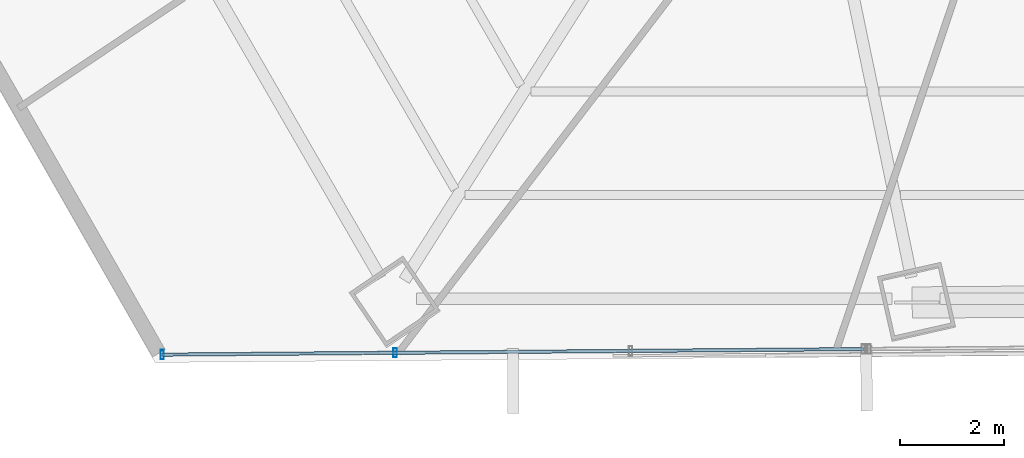
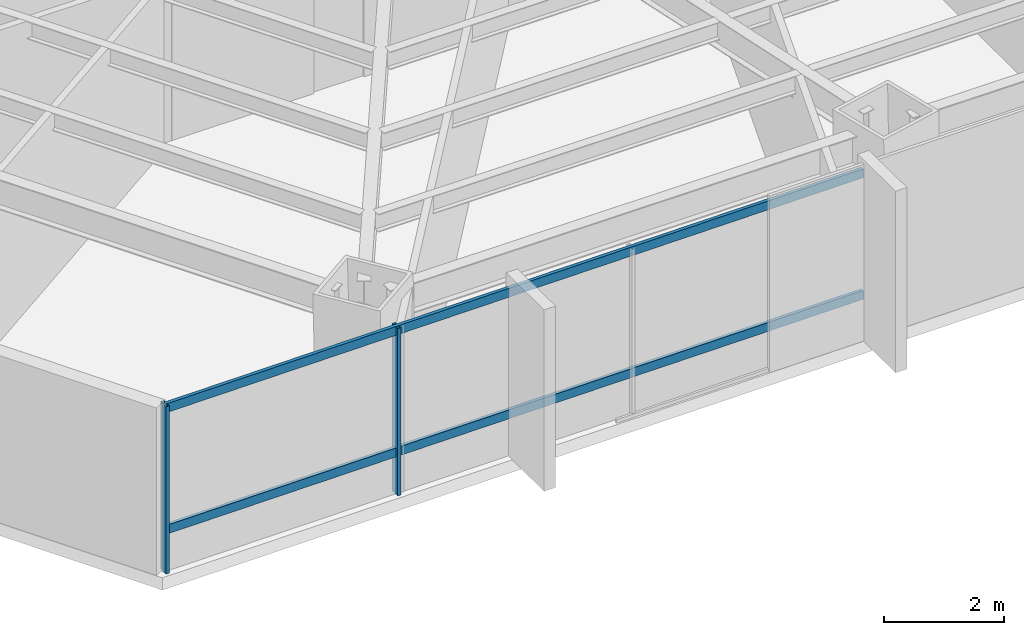
# One storey, part 3 of 34: 4 members, 1 element without a shape of its own.
"""IFC4 building model written with IfcOpenShell, lengths in metres."""

from ifc_helpers import new_model, si_unit, direction, frame, origin, origin_2d, place, context, subcontext, project, spatial, hollow_rectangle, extrude, source, transform, mapped, material, material_profile, profile_set, type_object, type_shapes, element, aggregate, save


model = new_model("IFC4")

# Units and contexts
model_context = context("Model", 3, precision=1e-05, world=origin(), true_north=direction((0.0, 1.0)))
body_context = subcontext(model_context, "Body", "Model", "MODEL_VIEW")
ifc_project = project(units=[si_unit("LENGTHUNIT", "METRE"), si_unit("AREAUNIT", "SQUARE_METRE"), si_unit("VOLUMEUNIT", "CUBIC_METRE"), si_unit("PLANEANGLEUNIT", "RADIAN"), si_unit("MASSUNIT", "GRAM", prefix="KILO")], contexts=[model_context])

# Site, building, storey
site_placement = place(None, origin())
site = spatial("IfcSite", under=ifc_project, at=site_placement, CompositionType="ELEMENT")
building_placement = place(site_placement, origin())
building = spatial("IfcBuilding", under=site, at=building_placement, Name="Caelisora Broadcast Tower", CompositionType="ELEMENT")
storey_placement = place(building_placement, frame((0.0, 0.0, 56.800048828125)))
storey = spatial("IfcBuildingStorey", under=building, at=storey_placement, Name="L14", CompositionType="ELEMENT", Elevation=56.800048828125)

# Curtain wall, members
ifc_material_1 = material(Name="Unitised Aluminium and Low-E Glass Curtain Wall", Category="glass")
curtain_wall_type = type_object("IfcCurtainWallType", Name="CW-Z1", PredefinedType="NOTDEFINED", material=ifc_material_1)
curtain_wall_placement = place(storey_placement, origin())
curtain_wall = element("IfcCurtainWall", 1, at=curtain_wall_placement, inside=storey, type_object=curtain_wall_type, Name="L14 curtain wall CW-Z1", PredefinedType="NOTDEFINED")
ifc_material_2 = material(Name="Aluminium 6063-T6 Anodised Terracotta Bronze", Category="aluminium")
ifc_material_profile_1 = material_profile(ifc_material_2, hollow_rectangle(XDim=0.06494140625, YDim=0.179931640625, WallThickness=0.00341796875, at=origin_2d()), Name="Aluminium 6063-T6 Anodised Terracotta Bronze")
ifc_profile_set_1 = profile_set([ifc_material_profile_1], Name="Aluminium 6063-T6 Anodised Terracotta Bronze")
member_type_1 = type_object("IfcMemberType", Name="CWM-02", PredefinedType="MULLION", material=ifc_profile_set_1)
shared_shape_1 = source(origin(), body_context, "Body", "SweptSolid", [
    extrude(hollow_rectangle(XDim=0.06494140625, YDim=0.179931640625, WallThickness=0.00341796875, at=origin_2d()), origin(), (0.0, 0.0, 1.0), 3.39990234375),
])
type_shapes(member_type_1, [shared_shape_1])
member_1_placement = place(storey_placement, frame((22.973388671875, 4.411865234375, 0.0), z_axis=(0.0, 0.0, 1.0), x_axis=(1.0, 0.0, 0.0)))
member_1 = element("IfcMember", 2, at=member_1_placement, type_object=member_type_1, Name="L14-CW-B07 mullion #2", PredefinedType="MULLION", context=body_context, shape_type="MappedRepresentation", body=[
    mapped(shared_shape_1, transform((0.0, 0.0, 0.0), scale=1.0)),
])
member_2_placement = place(storey_placement, frame((18.5009765625, 4.37646484375, 0.0), z_axis=(0.0, 0.0, 1.0), x_axis=(1.0, 0.0, 0.0)))
member_2 = element("IfcMember", 3, at=member_2_placement, type_object=member_type_1, Name="L14-CW-B07 mullion #3", PredefinedType="MULLION", context=body_context, shape_type="MappedRepresentation", body=[
    mapped(shared_shape_1, transform((0.0, 0.0, 0.0), scale=1.0)),
])
ifc_material_profile_2 = material_profile(ifc_material_2, hollow_rectangle(XDim=0.06494140625, YDim=0.179931640625, WallThickness=0.00341796875, at=origin_2d()), Name="Aluminium 6063-T6 Anodised Terracotta Bronze")
ifc_profile_set_2 = profile_set([ifc_material_profile_2], Name="Aluminium 6063-T6 Anodised Terracotta Bronze")
member_type_2 = type_object("IfcMemberType", Name="CWT-01", PredefinedType="USERDEFINED", material=ifc_profile_set_2)
shared_shape_2 = source(origin(), body_context, "Body", "SweptSolid", [
    extrude(hollow_rectangle(XDim=0.06494140625, YDim=0.179931640625, WallThickness=0.00341796875, at=origin_2d()), origin(), (0.0, 0.0, 1.0), 13.468017578125),
])
type_shapes(member_type_2, [shared_shape_2])
member_3_placement = place(storey_placement, frame((31.968505859375, 4.483154296875, 0.849853515625), z_axis=(-0.99996862262, -0.007921728116, 0.0), x_axis=(0.007921728116, -0.99996862262, 0.0)))
member_3 = element("IfcMember", 4, at=member_3_placement, type_object=member_type_2, Name="L14-CW-B07 transom #1", ObjectType="TRANSOM", PredefinedType="USERDEFINED", context=body_context, shape_type="MappedRepresentation", body=[
    mapped(shared_shape_2, transform((0.0, 0.0, 0.0), scale=1.0)),
])
member_4_placement = place(storey_placement, frame((31.968505859375, 4.483154296875, 3.320068359375), z_axis=(-0.99996862262, -0.007921728116, 0.0), x_axis=(0.007921728116, -0.99996862262, 0.0)))
member_4 = element("IfcMember", 5, at=member_4_placement, type_object=member_type_2, Name="L14-CW-B07 transom #2", ObjectType="TRANSOM", PredefinedType="USERDEFINED", context=body_context, shape_type="MappedRepresentation", body=[
    mapped(shared_shape_2, transform((0.0, 0.0, 0.0), scale=1.0)),
])
aggregate(curtain_wall, [member_1, member_2, member_3, member_4])

save(model, "model.ifc")
